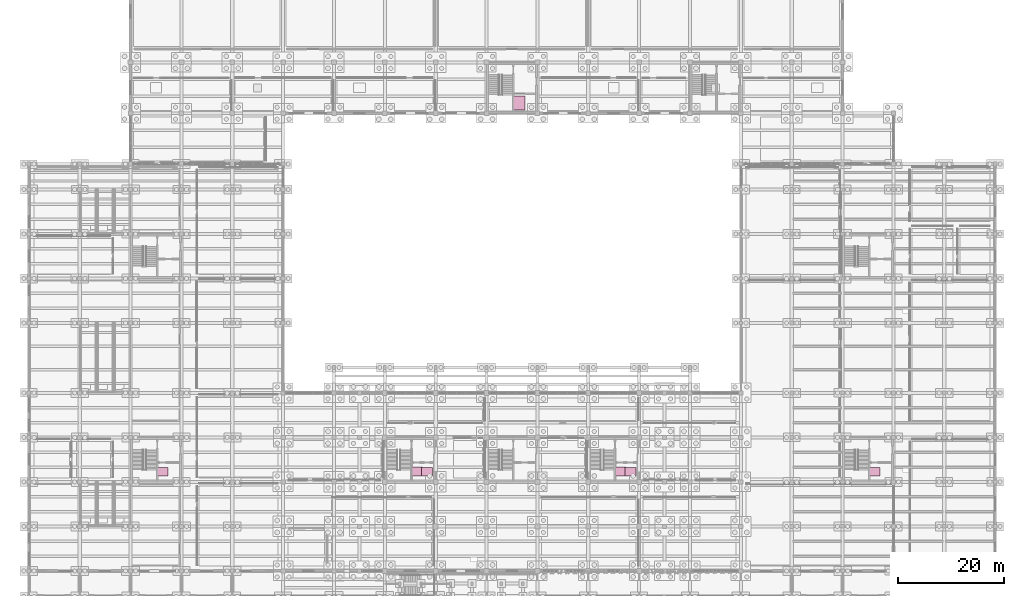
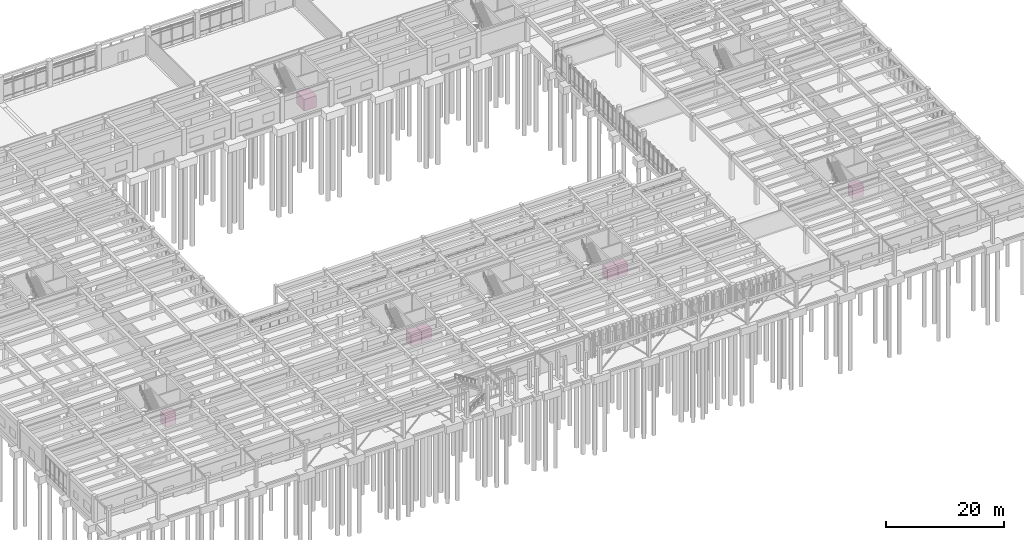
# One storey, part 102 of 102: 7 transport elements.
"""IFC4 building model written with IfcOpenShell, lengths in metres."""

from ifc_helpers import new_model, si_unit, direction, frame, origin, origin_2d, place, context, subcontext, project, spatial, rectangle, extrude, material, type_object, element, save


model = new_model("IFC4")

# Units and contexts
model_context = context("Model", 3, precision=1e-05, world=origin(), true_north=direction((0.0, 1.0)))
body_context = subcontext(model_context, "Body", "Model", "MODEL_VIEW")
ifc_project = project(units=[si_unit("LENGTHUNIT", "METRE"), si_unit("AREAUNIT", "SQUARE_METRE"), si_unit("VOLUMEUNIT", "CUBIC_METRE"), si_unit("PLANEANGLEUNIT", "RADIAN"), si_unit("MASSUNIT", "GRAM", prefix="KILO")], contexts=[model_context])

# Site, building, storey
site_placement = place(None, origin())
site = spatial("IfcSite", under=ifc_project, at=site_placement, CompositionType="ELEMENT")
building_placement = place(site_placement, origin())
building = spatial("IfcBuilding", under=site, at=building_placement, Name="Kolvemor Railside Polytechnic", CompositionType="ELEMENT")
storey_placement = place(building_placement, origin())
storey = spatial("IfcBuildingStorey", under=building, at=storey_placement, Name="L00", CompositionType="ELEMENT", Elevation=0.0)

# Transport elements
ifc_material_1 = material(Name="Brushed stainless-steel elevator cab", Category="steel")
transport_element_type_1 = type_object("IfcTransportElementType", Name="LFT-FF-210x165", PredefinedType="ELEVATOR", material=ifc_material_1)
for number, where, z_axis, x_axis, name in (
    (1, (73.25, 23.550048828125, 0.02001953125), (0.0, 0.0, 1.0), (1.0, 0.0, 0.0), "Elevator FL-1"),
    (2, (111.64990234375, 23.550048828125, 0.02001953125), (0.0, 0.0, 1.0), (1.0, 0.0, 0.0), "Elevator FL-2"),
):
    element("IfcTransportElement", number, at=place(storey_placement, frame(where, z_axis=z_axis, x_axis=x_axis)), inside=storey, type_object=transport_element_type_1, Name=name, PredefinedType="ELEVATOR", context=body_context, shape_type="SweptSolid", body=[
        extrude(rectangle(XDim=2.10009765625, YDim=1.64990234375, at=origin_2d()), origin(), (0.0, 0.0, 1.0), 2.39990234375),
    ])
ifc_material_2 = material(Name="Brushed stainless-steel elevator cab", Category="steel")
transport_element_type_2 = type_object("IfcTransportElementType", Name="LFT-GDS-240x260", PredefinedType="ELEVATOR", material=ifc_material_2)
transport_element_placement = place(storey_placement, frame((92.449951171875, 93.14990234375, 0.02001953125), z_axis=(0.0, 0.0, 1.0), x_axis=(1.0, 0.0, 0.0)))
element("IfcTransportElement", 3, at=transport_element_placement, inside=storey, type_object=transport_element_type_2, Name="Elevator GL-1", PredefinedType="ELEVATOR", context=body_context, shape_type="SweptSolid", body=[
    extrude(rectangle(XDim=2.39990234375, YDim=2.60009765625, at=origin_2d()), origin(), (0.0, 0.0, 1.0), 2.39990234375),
])
ifc_material_3 = material(Name="Brushed stainless-steel elevator cab", Category="steel")
transport_element_type_3 = type_object("IfcTransportElementType", Name="LFT-PAS-210x160", PredefinedType="ELEVATOR", material=ifc_material_3)
for number, where, z_axis, x_axis, name in (
    (4, (75.14990234375, 23.550048828125, 0.02001953125), (0.0, 0.0, 1.0), (1.0, 0.0, 0.0), "Elevator PL-1"),
    (5, (113.550048828125, 23.550048828125, 0.02001953125), (0.0, 0.0, 1.0), (1.0, 0.0, 0.0), "Elevator PL-2"),
    (6, (25.25, 23.550048828125, 0.02001953125), (0.0, 0.0, 1.0), (1.0, 0.0, 0.0), "Elevator PL-3"),
    (7, (159.64990234375, 23.550048828125, 0.02001953125), (0.0, 0.0, 1.0), (1.0, 0.0, 0.0), "Elevator PL-4"),
):
    element("IfcTransportElement", number, at=place(storey_placement, frame(where, z_axis=z_axis, x_axis=x_axis)), inside=storey, type_object=transport_element_type_3, Name=name, PredefinedType="ELEVATOR", context=body_context, shape_type="SweptSolid", body=[
        extrude(rectangle(XDim=2.10009765625, YDim=1.60009765625, at=origin_2d()), origin(), (0.0, 0.0, 1.0), 2.39990234375),
    ])

save(model, "model.ifc")
